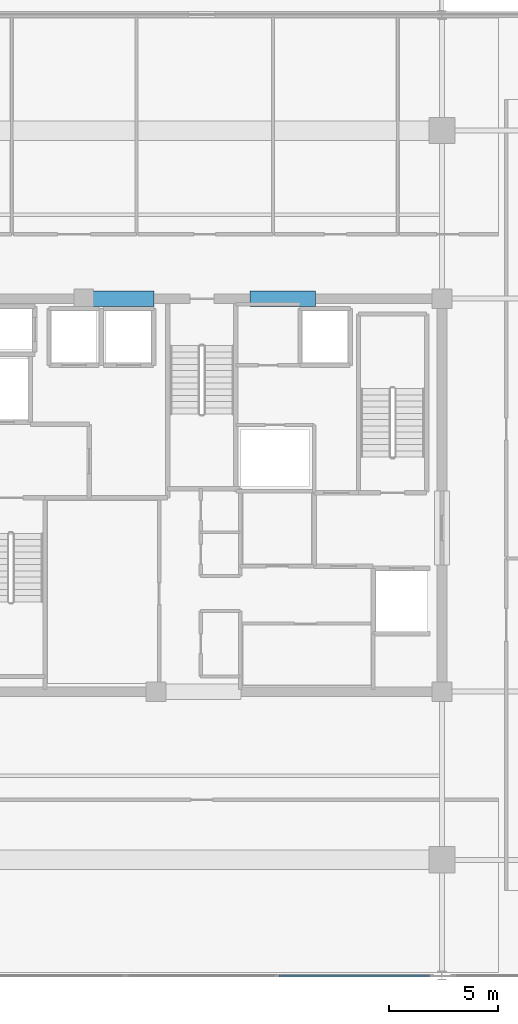
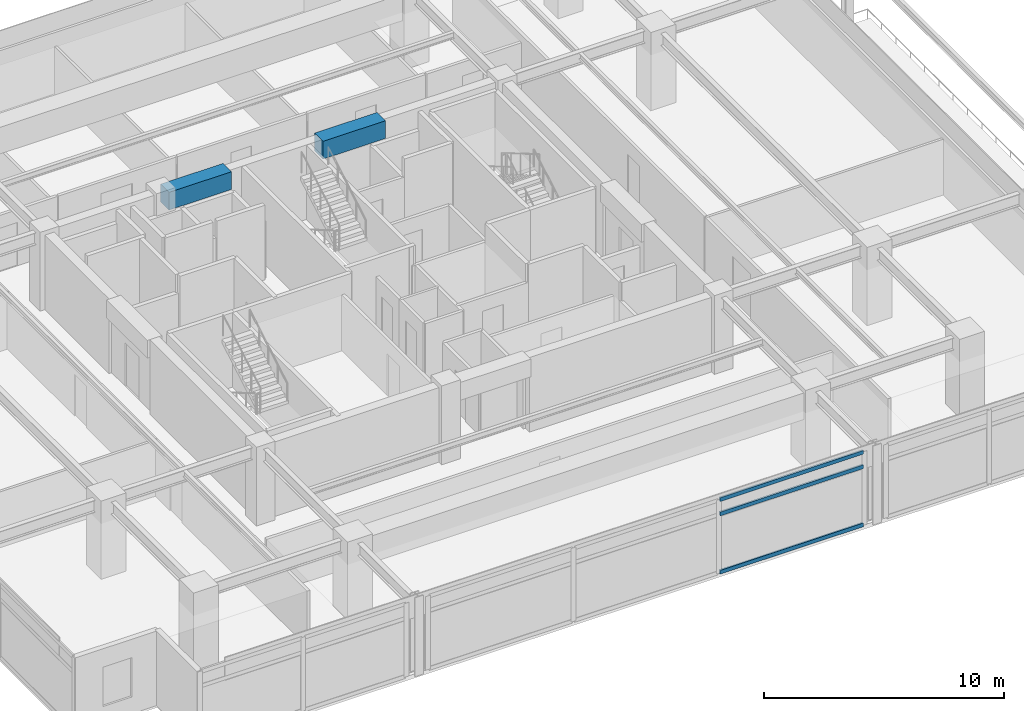
# One storey, part 8 of 20: 3 members, 2 beams, 1 element without a shape of its own.
"""IFC4 building model written with IfcOpenShell, lengths in metres."""

import ifcopenshell
import ifcopenshell.guid

model = None  # the IFC model being written
_history = None  # IfcOwnerHistory: only IFC2X3 demands one
_inside = {}  # id of a spatial element -> (the spatial element, [elements in it])
_under = {}  # id of a project, library or spatial element -> (it, [spatial elements below it])
_declared = {}  # id of a project -> (the project, [libraries it declares])
_typed = {}  # id of a type object -> (the type object, [elements of that type])
_made_of = {}  # id of a material, layer set ... -> (it, [elements and type objects made of it])


def new_model(schema):
    """Start an empty IFC model of exactly this schema.

    Asked for "IFC4X3", IfcOpenShell would pick the latest addendum, in which some entities
    have other attributes; the version numbers below select the first issue.
    IFC2X3 requires an IfcOwnerHistory on every rooted entity: one is made here for all.
    """
    global model, _history
    if schema == "IFC4X3":
        model = ifcopenshell.file(schema_version=(4, 3, 0, 0))
    else:
        model = ifcopenshell.file(schema=schema)
    _inside.clear()
    _under.clear()
    _declared.clear()
    _typed.clear()
    _made_of.clear()
    _history = None
    if model.schema == "IFC2X3":
        org = make("IfcOrganization", Name="unknown")
        user = make(
            "IfcPersonAndOrganization",
            ThePerson=make("IfcPerson", FamilyName="unknown"),
            TheOrganization=org,
        )
        app = make(
            "IfcApplication",
            ApplicationDeveloper=org,
            Version="unknown",
            ApplicationFullName="unknown",
            ApplicationIdentifier="unknown",
        )
        _history = make(
            "IfcOwnerHistory",
            OwningUser=user,
            OwningApplication=app,
            ChangeAction="ADDED",
            CreationDate=0,
        )
    return model


def make(cls, **values):
    """One entity of the class cls with the attributes given. An attribute that is None is left unset."""
    return model.create_entity(
        cls, **{name: value for name, value in values.items() if value is not None}
    )


def rooted(cls, **values):
    """An entity with a GlobalId (a new one), such as an element, a storey or a relation."""
    return make(cls, GlobalId=ifcopenshell.guid.new(), OwnerHistory=_history, **values)


def si_unit(unit_type, name, prefix=None):
    """IfcSIUnit, for example si_unit("LENGTHUNIT", "METRE", prefix="MILLI")."""
    return make("IfcSIUnit", UnitType=unit_type, Prefix=prefix, Name=name)


def assignment(units):
    """IfcUnitAssignment: the units of a project."""
    return None if units is None else make("IfcUnitAssignment", Units=units)


def point(xyz):
    """IfcCartesianPoint."""
    return None if xyz is None else make("IfcCartesianPoint", Coordinates=xyz)


def direction(xyz):
    """IfcDirection."""
    return None if xyz is None else make("IfcDirection", DirectionRatios=xyz)


def frame(location, z_axis=None, x_axis=None):
    """IfcAxis2Placement3D, a coordinate frame: its origin and axes. An axis left out is left unset."""
    return make(
        "IfcAxis2Placement3D",
        Location=point(location),
        Axis=direction(z_axis),
        RefDirection=direction(x_axis),
    )


def frame_2d(location, x_axis=None):
    """IfcAxis2Placement2D, a coordinate frame in the plane: its origin and x axis."""
    return make(
        "IfcAxis2Placement2D", Location=point(location), RefDirection=direction(x_axis)
    )


def origin():
    """The frame at (0, 0, 0) with its axes left unset."""
    return frame((0.0, 0.0, 0.0))


def origin_2d():
    """The frame at (0, 0) in the plane with its x axis left unset."""
    return frame_2d((0.0, 0.0))


def place(relative_to, where):
    """IfcLocalPlacement: puts the frame where relative to a parent placement (None: the world)."""
    return make(
        "IfcLocalPlacement", PlacementRelTo=relative_to, RelativePlacement=where
    )


def context(
    kind, dimensions, precision=None, world=None, true_north=None, identifier=None
):
    """IfcGeometricRepresentationContext, for example the 3D "Model" context."""
    return make(
        "IfcGeometricRepresentationContext",
        ContextIdentifier=identifier,
        ContextType=kind,
        CoordinateSpaceDimension=dimensions,
        Precision=precision,
        WorldCoordinateSystem=world,
        TrueNorth=true_north,
    )


def subcontext(parent, identifier, kind, view, scale=None):
    """IfcGeometricRepresentationSubContext, for example "Body" below "Model"."""
    return make(
        "IfcGeometricRepresentationSubContext",
        ContextIdentifier=identifier,
        ContextType=kind,
        ParentContext=parent,
        TargetScale=scale,
        TargetView=view,
    )


def project(units=None, contexts=None):
    """IfcProject with its units and contexts."""
    return rooted(
        "IfcProject",
        Name="project",
        RepresentationContexts=contexts,
        UnitsInContext=assignment(units),
    )


def spatial(cls, under=None, at=None, **own):
    """A site, building, storey or space (cls), placed at a placement, below another one or the project."""
    s = rooted(cls, ObjectPlacement=at, **own)
    if under is not None:
        _under.setdefault(under.id(), (under, []))[1].append(s)
    return s


def profile(cls, at=None, kind="AREA", **sizes):
    """A parametric profile (cls). Its sizes go by their IFC names, for example OverallWidth=200.0."""
    return make(cls, ProfileType=kind, Position=at, **sizes)


def rectangle(**sizes):
    """IfcRectangleProfileDef."""
    return profile("IfcRectangleProfileDef", **sizes)


def hollow_rectangle(**sizes):
    """IfcRectangleHollowProfileDef."""
    return profile("IfcRectangleHollowProfileDef", **sizes)


def extrude(swept, where, along, depth):
    """IfcExtrudedAreaSolid: the profile swept, set in the frame where, extruded along a direction by depth."""
    return make(
        "IfcExtrudedAreaSolid",
        SweptArea=swept,
        Position=where,
        ExtrudedDirection=direction(along),
        Depth=depth,
    )


def shape(context_of_items, identifier, shape_type, items):
    """IfcShapeRepresentation: the items that make up one representation, for example the "Body"."""
    return make(
        "IfcShapeRepresentation",
        ContextOfItems=context_of_items,
        RepresentationIdentifier=identifier,
        RepresentationType=shape_type,
        Items=items,
    )


def material(Name=None, Category=None):
    """IfcMaterial."""
    return make("IfcMaterial", Name=Name, Category=Category)


def material_profile(
    of_material, cross_section, Name=None, Category=None, Priority=None
):
    """IfcMaterialProfile: a cross section and its material."""
    return make(
        "IfcMaterialProfile",
        Name=Name,
        Material=of_material,
        Profile=cross_section,
        Priority=Priority,
        Category=Category,
    )


def profile_set(profiles, Name=None, composite=None):
    """IfcMaterialProfileSet."""
    return make(
        "IfcMaterialProfileSet",
        Name=Name,
        MaterialProfiles=profiles,
        CompositeProfile=composite,
    )


def made_of(thing, what):
    """Note that an element or type object is made of a material, layer set ...; save() writes the relation."""
    if what is not None:
        _made_of.setdefault(what.id(), (what, []))[1].append(thing)
    return thing


def type_object(cls, material=None, **own):
    """A type object (cls), such as IfcWallType, which elements share."""
    return made_of(rooted(cls, **own), material)


def element(
    cls,
    number,
    at=None,
    inside=None,
    cuts=None,
    type_object=None,
    material=None,
    context=None,
    identifier="Body",
    shape_type=None,
    held_by="IfcProductDefinitionShape",
    body=None,
    shapes=None,
    **own,
):
    """One element of the class cls, such as IfcWall. Its Tag is "e" and its number.

    at: its placement. inside: the storey or other place that contains it. cuts: it is an
    opening in that element (IfcRelVoidsElement). A single representation is given by context,
    identifier, shape_type and body (its items); several are given by shapes. held_by: the class
    of the entity that holds the representations. save() writes the other relations.
    """
    e = rooted(cls, Tag="e%d" % number, ObjectPlacement=at, **own)
    if body is not None:
        shapes = [shape(context, identifier, shape_type, body)]
    if shapes is not None:
        e.Representation = make(held_by, Representations=shapes)
    if inside is not None:
        _inside.setdefault(inside.id(), (inside, []))[1].append(e)
    if cuts is not None:
        rooted(
            "IfcRelVoidsElement", RelatingBuildingElement=cuts, RelatedOpeningElement=e
        )
    if type_object is not None:
        _typed.setdefault(type_object.id(), (type_object, []))[1].append(e)
    return made_of(e, material)


def aggregate(whole, parts):
    """IfcRelAggregates: a whole, such as a stair, and the parts it consists of."""
    return rooted("IfcRelAggregates", RelatingObject=whole, RelatedObjects=parts)


def save(model, path):
    """Write the relations noted so far, then the file.

    IfcRelAggregates (storeys below a building ...), IfcRelContainedInSpatialStructure (elements
    in a storey), IfcRelDefinesByType, IfcRelAssociatesMaterial and IfcRelDeclares: one each for
    every whole, place, type object, material and project.
    """
    for whole, parts in _under.values():
        aggregate(whole, parts)
    for where, things in _inside.values():
        rooted(
            "IfcRelContainedInSpatialStructure",
            RelatedElements=things,
            RelatingStructure=where,
        )
    for kind, things in _typed.values():
        rooted("IfcRelDefinesByType", RelatedObjects=things, RelatingType=kind)
    for what, things in _made_of.values():
        rooted("IfcRelAssociatesMaterial", RelatedObjects=things, RelatingMaterial=what)
    for by, libraries in _declared.values():
        rooted("IfcRelDeclares", RelatingContext=by, RelatedDefinitions=libraries)
    model.write(path)


model = new_model("IFC4")

# Units and contexts
model_context = context("Model", 3, precision=1e-05, world=origin(), true_north=direction((0.0, 1.0)))
body_context = subcontext(model_context, "Body", "Model", "MODEL_VIEW")
ifc_project = project(units=[si_unit("LENGTHUNIT", "METRE"), si_unit("AREAUNIT", "SQUARE_METRE"), si_unit("VOLUMEUNIT", "CUBIC_METRE"), si_unit("PLANEANGLEUNIT", "RADIAN"), si_unit("MASSUNIT", "GRAM", prefix="KILO")], contexts=[model_context])

# Site, building, storey
site_placement = place(None, origin())
site = spatial("IfcSite", under=ifc_project, at=site_placement, CompositionType="ELEMENT")
building_placement = place(site_placement, origin())
building = spatial("IfcBuilding", under=site, at=building_placement, Name="Kovane Verandah Tower", CompositionType="ELEMENT")
storey_placement = place(building_placement, frame((0.0, 0.0, 287.199951171875)))
storey = spatial("IfcBuildingStorey", under=building, at=storey_placement, Name="L67", CompositionType="ELEMENT", Elevation=287.199951171875)

# Beams
ifc_material_1 = material(Name="Concrete C60/75", Category="concrete")
ifc_material_profile_1 = material_profile(ifc_material_1, rectangle(XDim=0.699951171875, YDim=0.89990234375, at=origin_2d()), Name="RCB700x900")
ifc_profile_set_1 = profile_set([ifc_material_profile_1], Name="Concrete C60/75")
beam_type = type_object("IfcBeamType", Name="BM-LINTEL-700x900", PredefinedType="LINTEL", material=ifc_profile_set_1)
for number, where, z_axis, x_axis, name in (
    (1, (34.800048828125, 36.5, 3.3349609375), (1.0, 0.0, 0.0), (0.0, 1.0, 0.0), "L67 Core Coupling Lintel CL-N1"),
    (2, (42.199951171875, 36.5, 3.3349609375), (1.0, 0.0, 0.0), (0.0, 1.0, 0.0), "L67 Core Coupling Lintel CL-N2"),
):
    element("IfcBeam", number, at=place(storey_placement, frame(where, z_axis=z_axis, x_axis=x_axis)), inside=storey, type_object=beam_type, Name=name, PredefinedType="LINTEL", context=body_context, shape_type="SweptSolid", body=[
        extrude(rectangle(XDim=0.699951171875, YDim=0.89990234375, at=origin_2d()), origin(), (0.0, 0.0, 1.0), 3.0),
    ])

# Curtain wall, members
ifc_material_2 = material(Name="Champagne Anodised Aluminium Frame with Low-E Clear Laminated Glass", Category="aluminium")
curtain_wall_type = type_object("IfcCurtainWallType", Name="CW-SYS-05-HIGH", PredefinedType="NOTDEFINED", material=ifc_material_2)
curtain_wall_placement = place(storey_placement, origin())
curtain_wall = element("IfcCurtainWall", 3, at=curtain_wall_placement, inside=storey, type_object=curtain_wall_type, Name="L67 S Unitised Curtain Wall-2", PredefinedType="NOTDEFINED")
ifc_material_3 = material(Name="Champagne Anodised Aluminium 6063-T6", Category="aluminium")
ifc_material_profile_2 = material_profile(ifc_material_3, hollow_rectangle(XDim=0.0849609375, YDim=0.18994140625, WallThickness=0.00390625, at=origin_2d()), Name="AL85x190x4")
ifc_profile_set_2 = profile_set([ifc_material_profile_2], Name="Champagne Anodised Aluminium 6063-T6")
member_type = type_object("IfcMemberType", Name="CW-TRN-85x190", PredefinedType="USERDEFINED", material=ifc_profile_set_2)
member_1_placement = place(storey_placement, frame((43.543212890625, 5.485595703125, 0.050048828125), z_axis=(1.0, 0.0, 0.0), x_axis=(0.0, 1.0, 0.0)))
member_1 = element("IfcMember", 4, at=member_1_placement, type_object=member_type, Name="L67 S Unitised Curtain Wall-2 Transom TB Bay 3", ObjectType="TRANSOM", PredefinedType="USERDEFINED", context=body_context, shape_type="SweptSolid", body=[
    extrude(hollow_rectangle(XDim=0.0849609375, YDim=0.18994140625, WallThickness=0.00390625, at=origin_2d()), origin(), (0.0, 0.0, 1.0), 6.88671875),
])
member_2_placement = place(storey_placement, frame((43.543212890625, 5.485595703125, 3.005126953125), z_axis=(1.0, 0.0, 0.0), x_axis=(0.0, 1.0, 0.0)))
member_2 = element("IfcMember", 5, at=member_2_placement, type_object=member_type, Name="L67 S Unitised Curtain Wall-2 Transom TM Bay 3", ObjectType="TRANSOM", PredefinedType="USERDEFINED", context=body_context, shape_type="SweptSolid", body=[
    extrude(hollow_rectangle(XDim=0.0849609375, YDim=0.18994140625, WallThickness=0.00390625, at=origin_2d()), origin(), (0.0, 0.0, 1.0), 6.88671875),
])
member_3_placement = place(storey_placement, frame((43.543212890625, 5.485595703125, 3.735107421875), z_axis=(1.0, 0.0, 0.0), x_axis=(0.0, 1.0, 0.0)))
member_3 = element("IfcMember", 6, at=member_3_placement, type_object=member_type, Name="L67 S Unitised Curtain Wall-2 Transom TT Bay 3", ObjectType="TRANSOM", PredefinedType="USERDEFINED", context=body_context, shape_type="SweptSolid", body=[
    extrude(hollow_rectangle(XDim=0.0849609375, YDim=0.18994140625, WallThickness=0.00390625, at=origin_2d()), origin(), (0.0, 0.0, 1.0), 6.88671875),
])
aggregate(curtain_wall, [member_1, member_2, member_3])

save(model, "model.ifc")
